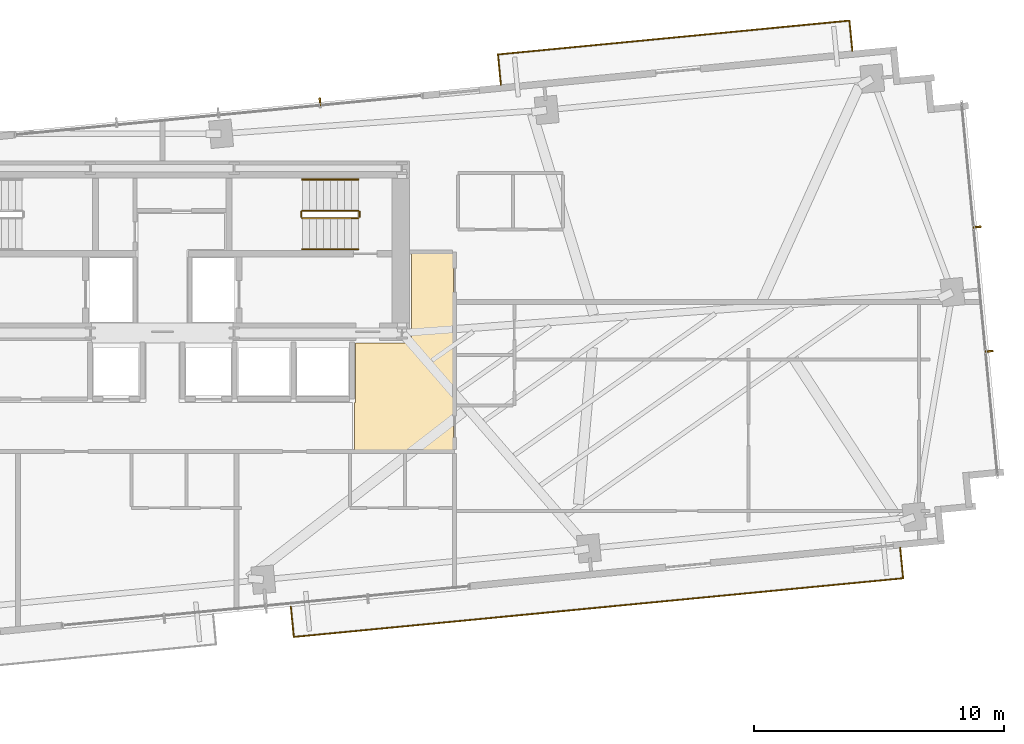
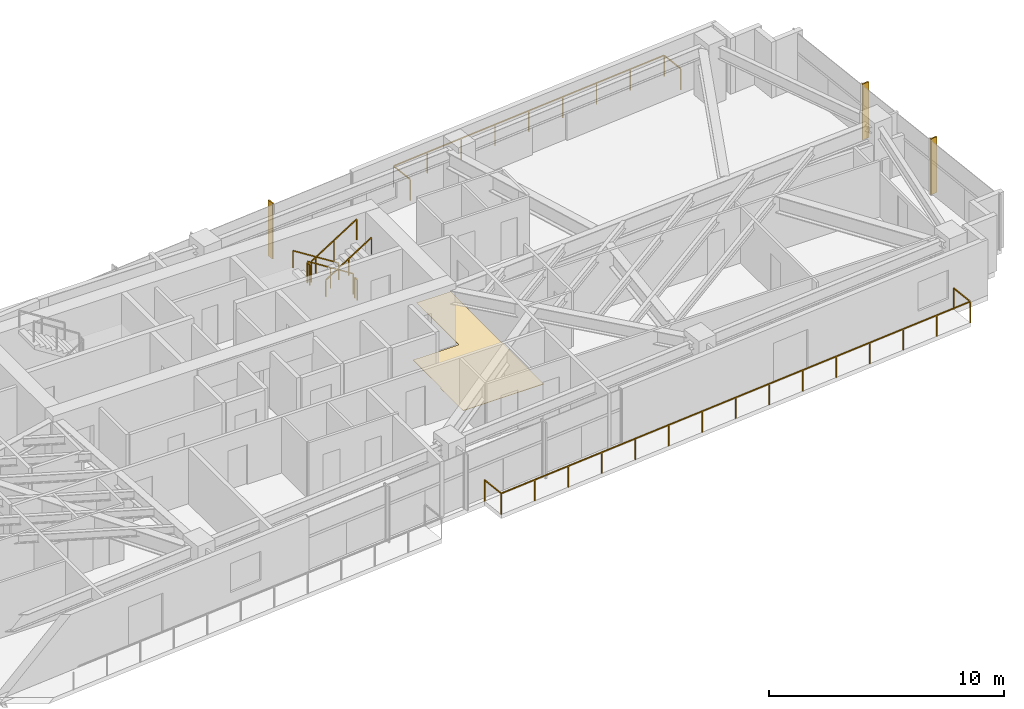
# One storey, part 27 of 27: 8 railings, 3 shading devices, 1 covering.
"""IFC4 building model written with IfcOpenShell, lengths in metres."""

from ifc_helpers import new_model, si_unit, direction, frame, origin, origin_2d, place, context, subcontext, project, spatial, polyline, rectangle, outline, extrude, source, transform, mapped, material, layer, layer_set, type_object, type_shapes, element, save


model = new_model("IFC4")

# Units and contexts
model_context = context("Model", 3, precision=1e-05, world=origin(), true_north=direction((0.0, 1.0)))
body_context = subcontext(model_context, "Body", "Model", "MODEL_VIEW")
ifc_project = project(units=[si_unit("LENGTHUNIT", "METRE"), si_unit("AREAUNIT", "SQUARE_METRE"), si_unit("VOLUMEUNIT", "CUBIC_METRE"), si_unit("PLANEANGLEUNIT", "RADIAN"), si_unit("MASSUNIT", "GRAM", prefix="KILO")], contexts=[model_context])

# Site, building, storey
site_placement = place(None, origin())
site = spatial("IfcSite", under=ifc_project, at=site_placement, CompositionType="ELEMENT")
building_placement = place(site_placement, origin())
building = spatial("IfcBuilding", under=site, at=building_placement, Name="Astriad Promenade Condominiums", CompositionType="ELEMENT")
storey_placement = place(building_placement, frame((0.0, 0.0, 116.199951171875)))
storey = spatial("IfcBuildingStorey", under=building, at=storey_placement, Name="L33", CompositionType="ELEMENT", Elevation=116.199951171875)

# Covering
ifc_material_1 = material(Name="Polished Lakefront Terrazzo Flooring")
ifc_layer = layer(ifc_material_1, 0.02001953125)
ifc_layer_set = layer_set([ifc_layer], Name="Polished Lakefront Terrazzo Flooring")
covering_type = type_object("IfcCoveringType", Name="COV-FLOR-TERRAZZO-20", PredefinedType="FLOORING", material=ifc_layer_set)
covering_placement = place(storey_placement, origin())
element("IfcCovering", 1, at=covering_placement, inside=storey, type_object=covering_type, Name="FLR-L33-COR-1", PredefinedType="FLOORING", context=body_context, shape_type="SweptSolid", body=[
    extrude(outline(polyline([(43.699951171875, 12.68994140625), (43.699951171875, 14.610107421875), (43.703857421875, 14.610107421875), (43.707763671875, 14.61083984375), (43.711669921875, 14.61181640625), (43.71533203125, 14.613037109375), (43.718994140625, 14.61474609375), (43.72216796875, 14.61669921875), (43.725341796875, 14.619140625), (43.728271484375, 14.62158203125), (43.73095703125, 14.62451171875), (43.7333984375, 14.627685546875), (43.7353515625, 14.631103515625), (43.737060546875, 14.634765625), (43.73828125, 14.638427734375), (43.7392578125, 14.64208984375), (43.73974609375, 14.64599609375), (43.739990234375, 14.64990234375), (43.739990234375, 17.010009765625), (45.949951171875, 17.010009765625), (45.953857421875, 17.01025390625), (45.957763671875, 17.0107421875), (45.961669921875, 17.01171875), (45.96533203125, 17.012939453125), (45.968994140625, 17.0146484375), (45.97216796875, 17.0166015625), (45.975341796875, 17.01904296875), (45.978271484375, 17.021728515625), (45.98095703125, 17.024658203125), (45.9833984375, 17.02783203125), (45.9853515625, 17.031005859375), (45.987060546875, 17.03466796875), (45.98828125, 17.038330078125), (45.9892578125, 17.042236328125), (45.98974609375, 17.046142578125), (45.989990234375, 17.050048828125), (45.989990234375, 20.610107421875), (47.659912109375, 20.610107421875), (47.659912109375, 12.68994140625), (43.699951171875, 12.68994140625)])), origin(), (0.0, 0.0, 1.0), 0.02001953125),
])

# Shading devices
ifc_material_2 = material(Name="Anodised aluminium 6063-T6 Black Fin", Category="aluminium")
shading_device_type = type_object("IfcShadingDeviceType", Name="FIN-BLACK-320", PredefinedType="USERDEFINED", material=ifc_material_2)
shared_shape_1 = source(origin(), body_context, "Body", "SweptSolid", [
    extrude(rectangle(XDim=0.06494140625, YDim=0.320068359375, at=origin_2d()), origin(), (0.0, 0.0, 1.0), 2.89990234375),
])
type_shapes(shading_device_type, [shared_shape_1])
for number, where, z_axis, x_axis, name in (
    (2, (42.31689453125, 26.656494140625, 0.0), (0.0, 0.0, 1.0), (0.995396198367, 0.09584575252, 0.0), "CW-L33-N-FIN-03"),
    (3, (68.63330078125, 21.6455078125, 0.0), (0.0, 0.0, 1.0), (0.09584575252, -0.995396198367, 0.0), "CW-L33-E-FIN-01"),
    (4, (69.1123046875, 16.668701171875, 0.0), (0.0, 0.0, 1.0), (0.09584575252, -0.995396198367, 0.0), "CW-L33-E-FIN-02"),
):
    element("IfcShadingDevice", number, at=place(storey_placement, frame(where, z_axis=z_axis, x_axis=x_axis)), inside=storey, type_object=shading_device_type, Name=name, ObjectType="FIN", PredefinedType="USERDEFINED", context=body_context, shape_type="MappedRepresentation", body=[
        mapped(shared_shape_1, transform((0.0, 0.0, 0.0), scale=1.0)),
    ])

# Railings
ifc_material_3 = material(Name="Laminated Glass and Stainless Steel Balustrade", Category="steel")
railing_type_1 = type_object("IfcRailingType", Name="GRD-BALC-1120", PredefinedType="BALUSTRADE", material=ifc_material_3)
shared_shape_2 = source(origin(), body_context, "Body", "SweptSolid", [
    extrude(rectangle(XDim=0.048095703125, YDim=0.048095703125, at=origin_2d()), frame((0.0, 0.0, 1.09619140625), z_axis=(0.0958382164, -0.995396923984, 0.0), x_axis=(0.995396923984, 0.0958382164, 0.0)), (0.0, 0.0, 1.0), 1.22021484375),
    extrude(rectangle(XDim=0.048095703125, YDim=0.048095703125, at=origin_2d()), frame((0.116943359375, -1.214599609375, 1.09619140625), z_axis=(0.995395355209, 0.095854508653, 0.0), x_axis=(-0.095854508653, 0.995395355209, 0.0)), (0.0, 0.0, 1.0), 24.519775390625),
    extrude(rectangle(XDim=0.048095703125, YDim=0.048095703125, at=origin_2d()), frame((24.52392578125, 1.1357421875, 1.09619140625), z_axis=(-0.095857307208, 0.99539508571, 0.0), x_axis=(-0.99539508571, -0.095857307208, 0.0)), (0.0, 0.0, 1.0), 1.219970703125),
    extrude(rectangle(XDim=0.0419921875, YDim=0.0419921875, at=origin_2d()), origin(), (0.0, 0.0, 1.0), 1.072021484375),
    extrude(rectangle(XDim=0.0419921875, YDim=0.0419921875, at=origin_2d()), frame((0.116943359375, -1.214599609375, 0.0)), (0.0, 0.0, 1.0), 1.072021484375),
    extrude(rectangle(XDim=0.0419921875, YDim=0.0419921875, at=origin_2d()), frame((1.8603515625, -1.046630859375, 0.0)), (0.0, 0.0, 1.0), 1.072021484375),
    extrude(rectangle(XDim=0.0419921875, YDim=0.0419921875, at=origin_2d()), frame((3.603759765625, -0.87890625, 0.0)), (0.0, 0.0, 1.0), 1.072021484375),
    extrude(rectangle(XDim=0.0419921875, YDim=0.0419921875, at=origin_2d()), frame((5.346923828125, -0.7109375, 0.0)), (0.0, 0.0, 1.0), 1.072021484375),
    extrude(rectangle(XDim=0.0419921875, YDim=0.0419921875, at=origin_2d()), frame((7.09033203125, -0.54296875, 0.0)), (0.0, 0.0, 1.0), 1.072021484375),
    extrude(rectangle(XDim=0.0419921875, YDim=0.0419921875, at=origin_2d()), frame((8.833740234375, -0.375244140625, 0.0)), (0.0, 0.0, 1.0), 1.072021484375),
    extrude(rectangle(XDim=0.0419921875, YDim=0.0419921875, at=origin_2d()), frame((10.5771484375, -0.207275390625, 0.0)), (0.0, 0.0, 1.0), 1.072021484375),
    extrude(rectangle(XDim=0.0419921875, YDim=0.0419921875, at=origin_2d()), frame((12.3203125, -0.03955078125, 0.0)), (0.0, 0.0, 1.0), 1.072021484375),
    extrude(rectangle(XDim=0.0419921875, YDim=0.0419921875, at=origin_2d()), frame((14.063720703125, 0.12841796875, 0.0)), (0.0, 0.0, 1.0), 1.072021484375),
    extrude(rectangle(XDim=0.0419921875, YDim=0.0419921875, at=origin_2d()), frame((15.80712890625, 0.29638671875, 0.0)), (0.0, 0.0, 1.0), 1.072021484375),
    extrude(rectangle(XDim=0.0419921875, YDim=0.0419921875, at=origin_2d()), frame((17.550537109375, 0.464111328125, 0.0)), (0.0, 0.0, 1.0), 1.072021484375),
    extrude(rectangle(XDim=0.0419921875, YDim=0.0419921875, at=origin_2d()), frame((19.2939453125, 0.632080078125, 0.0)), (0.0, 0.0, 1.0), 1.072021484375),
    extrude(rectangle(XDim=0.0419921875, YDim=0.0419921875, at=origin_2d()), frame((21.037109375, 0.800048828125, 0.0)), (0.0, 0.0, 1.0), 1.072021484375),
    extrude(rectangle(XDim=0.0419921875, YDim=0.0419921875, at=origin_2d()), frame((22.780517578125, 0.9677734375, 0.0)), (0.0, 0.0, 1.0), 1.072021484375),
    extrude(rectangle(XDim=0.0419921875, YDim=0.0419921875, at=origin_2d()), frame((24.52392578125, 1.1357421875, 0.0)), (0.0, 0.0, 1.0), 1.072021484375),
    extrude(rectangle(XDim=0.0419921875, YDim=0.0419921875, at=origin_2d()), frame((24.406982421875, 2.35009765625, 0.0)), (0.0, 0.0, 1.0), 1.072021484375),
])
railing_1_placement = place(storey_placement, frame((41.14794921875, 6.44140625, 0.0)))
element("IfcRailing", 5, at=railing_1_placement, inside=storey, type_object=railing_type_1, Name="GRD-BALC-L33-SE", PredefinedType="BALUSTRADE", context=body_context, shape_type="MappedRepresentation", body=[
    mapped(shared_shape_2, transform((0.0, 0.0, 0.0), scale=1.0)),
])
shared_shape_3 = source(origin(), body_context, "Body", "SweptSolid", [
    extrude(rectangle(XDim=0.048095703125, YDim=0.048095703125, at=origin_2d()), frame((0.0, 0.0, 1.09619140625), z_axis=(-0.096055582315, 0.995375971734, 0.0), x_axis=(-0.995375971734, -0.096055582315, 0.0)), (0.0, 0.0, 1.0), 1.219970703125),
    extrude(rectangle(XDim=0.048095703125, YDim=0.048095703125, at=origin_2d()), frame((-0.1171875, 1.21435546875, 1.09619140625), z_axis=(-0.995395546623, -0.095852520903, 0.0), x_axis=(0.095852520903, -0.995395546623, 0.0)), (0.0, 0.0, 1.0), 14.143798828125),
    extrude(rectangle(XDim=0.048095703125, YDim=0.048095703125, at=origin_2d()), frame((-14.19580078125, -0.141357421875, 1.09619140625), z_axis=(0.095659020692, -0.99541416092, 0.0), x_axis=(0.99541416092, 0.095659020692, 0.0)), (0.0, 0.0, 1.0), 1.219970703125),
    extrude(rectangle(XDim=0.0419921875, YDim=0.0419921875, at=origin_2d()), origin(), (0.0, 0.0, 1.0), 1.072021484375),
    extrude(rectangle(XDim=0.0419921875, YDim=0.0419921875, at=origin_2d()), frame((-0.1171875, 1.21435546875, 0.0)), (0.0, 0.0, 1.0), 1.072021484375),
    extrude(rectangle(XDim=0.0419921875, YDim=0.0419921875, at=origin_2d()), frame((-1.876953125, 1.044921875, 0.0)), (0.0, 0.0, 1.0), 1.072021484375),
    extrude(rectangle(XDim=0.0419921875, YDim=0.0419921875, at=origin_2d()), frame((-3.63671875, 0.87548828125, 0.0)), (0.0, 0.0, 1.0), 1.072021484375),
    extrude(rectangle(XDim=0.0419921875, YDim=0.0419921875, at=origin_2d()), frame((-5.396728515625, 0.7060546875, 0.0)), (0.0, 0.0, 1.0), 1.072021484375),
    extrude(rectangle(XDim=0.0419921875, YDim=0.0419921875, at=origin_2d()), frame((-7.156494140625, 0.53662109375, 0.0)), (0.0, 0.0, 1.0), 1.072021484375),
    extrude(rectangle(XDim=0.0419921875, YDim=0.0419921875, at=origin_2d()), frame((-8.916259765625, 0.366943359375, 0.0)), (0.0, 0.0, 1.0), 1.072021484375),
    extrude(rectangle(XDim=0.0419921875, YDim=0.0419921875, at=origin_2d()), frame((-10.67626953125, 0.197509765625, 0.0)), (0.0, 0.0, 1.0), 1.072021484375),
    extrude(rectangle(XDim=0.0419921875, YDim=0.0419921875, at=origin_2d()), frame((-12.43603515625, 0.028076171875, 0.0)), (0.0, 0.0, 1.0), 1.072021484375),
    extrude(rectangle(XDim=0.0419921875, YDim=0.0419921875, at=origin_2d()), frame((-14.19580078125, -0.141357421875, 0.0)), (0.0, 0.0, 1.0), 1.072021484375),
    extrude(rectangle(XDim=0.0419921875, YDim=0.0419921875, at=origin_2d()), frame((-14.0791015625, -1.355712890625, 0.0)), (0.0, 0.0, 1.0), 1.072021484375),
])
type_shapes(railing_type_1, [shared_shape_2, shared_shape_3])
railing_2_placement = place(storey_placement, frame((63.63818359375, 28.699462890625, 0.0)))
element("IfcRailing", 6, at=railing_2_placement, inside=storey, type_object=railing_type_1, Name="GRD-BALC-L33-NE", PredefinedType="BALUSTRADE", context=body_context, shape_type="MappedRepresentation", body=[
    mapped(shared_shape_3, transform((0.0, 0.0, 0.0), scale=1.0)),
])
ifc_material_4 = material(Name="Painted Galvanised Steel Guardrail", Category="steel")
railing_type_2 = type_object("IfcRailingType", Name="GRD-STAIR-1100", PredefinedType="GUARDRAIL", material=ifc_material_4)
shared_shape_4 = source(origin(), body_context, "Body", "SweptSolid", [
    extrude(rectangle(XDim=0.048095703125, YDim=0.048095703125, at=origin_2d()), frame((0.0, 0.0, 1.076171875), z_axis=(0.8442293374, 0.0, 0.53598211339), x_axis=(0.0, 1.0, 0.0)), (0.0, 0.0, 1.0), 2.6533203125),
    extrude(rectangle(XDim=0.0419921875, YDim=0.0419921875, at=origin_2d()), origin(), (0.0, 0.0, 1.0), 1.052001953125),
    extrude(rectangle(XDim=0.0419921875, YDim=0.0419921875, at=origin_2d()), frame((1.1201171875, 0.0, 0.7109375)), (0.0, 0.0, 1.0), 1.052001953125),
    extrude(rectangle(XDim=0.0419921875, YDim=0.0419921875, at=origin_2d()), frame((2.239990234375, 0.0, 1.422119140625)), (0.0, 0.0, 1.0), 1.052001953125),
])
railing_3_placement = place(storey_placement, frame((41.610107421875, 22.0, 1.77783203125)))
element("IfcRailing", 7, at=railing_3_placement, inside=storey, type_object=railing_type_2, Name="L33 ST-2 stair guard 3", PredefinedType="GUARDRAIL", context=body_context, shape_type="MappedRepresentation", body=[
    mapped(shared_shape_4, transform((0.0, 0.0, 0.0), scale=1.0)),
])
shared_shape_5 = source(origin(), body_context, "Body", "SweptSolid", [
    extrude(rectangle(XDim=0.048095703125, YDim=0.048095703125, at=origin_2d()), frame((0.0, 0.0, 1.076171875), z_axis=(-0.84418770128, 0.0, 0.536047689118), x_axis=(0.0, -1.0, 0.0)), (0.0, 0.0, 1.0), 2.6533203125),
    extrude(rectangle(XDim=0.0419921875, YDim=0.0419921875, at=origin_2d()), origin(), (0.0, 0.0, 1.0), 1.052001953125),
    extrude(rectangle(XDim=0.0419921875, YDim=0.0419921875, at=origin_2d()), frame((-1.1201171875, 0.0, 0.711181640625)), (0.0, 0.0, 1.0), 1.052001953125),
    extrude(rectangle(XDim=0.0419921875, YDim=0.0419921875, at=origin_2d()), frame((-2.239990234375, 0.0, 1.42236328125)), (0.0, 0.0, 1.0), 1.052001953125),
])
railing_4_placement = place(storey_placement, frame((43.85009765625, 22.300048828125, 0.177734375)))
element("IfcRailing", 8, at=railing_4_placement, inside=storey, type_object=railing_type_2, Name="L33 ST-2 stair guard 1", PredefinedType="GUARDRAIL", context=body_context, shape_type="MappedRepresentation", body=[
    mapped(shared_shape_5, transform((0.0, 0.0, 0.0), scale=1.0)),
])
ifc_material_5 = material(Name="Brushed Stainless Steel Handrail", Category="steel")
railing_type_3 = type_object("IfcRailingType", Name="HRL-STAIR-920", PredefinedType="HANDRAIL", material=ifc_material_5)
shared_shape_6 = source(origin(), body_context, "Body", "SweptSolid", [
    extrude(rectangle(XDim=0.048095703125, YDim=0.048095703125, at=origin_2d()), frame((0.0, 0.0, 0.8759765625), z_axis=(0.8442293374, 0.0, 0.53598211339), x_axis=(0.0, 1.0, 0.0)), (0.0, 0.0, 1.0), 2.6533203125),
    extrude(rectangle(XDim=0.0419921875, YDim=0.0419921875, at=origin_2d()), origin(), (0.0, 0.0, 1.0), 0.851806640625),
    extrude(rectangle(XDim=0.0419921875, YDim=0.0419921875, at=origin_2d()), frame((1.1201171875, 0.0, 0.7109375)), (0.0, 0.0, 1.0), 0.851806640625),
    extrude(rectangle(XDim=0.0419921875, YDim=0.0419921875, at=origin_2d()), frame((2.239990234375, 0.0, 1.422119140625)), (0.0, 0.0, 1.0), 0.851806640625),
])
railing_5_placement = place(storey_placement, frame((41.610107421875, 20.75, 1.77783203125)))
element("IfcRailing", 9, at=railing_5_placement, inside=storey, type_object=railing_type_3, Name="L33 ST-2 stair handrail 2", PredefinedType="HANDRAIL", context=body_context, shape_type="MappedRepresentation", body=[
    mapped(shared_shape_6, transform((0.0, 0.0, 0.0), scale=1.0)),
])
shared_shape_7 = source(origin(), body_context, "Body", "SweptSolid", [
    extrude(rectangle(XDim=0.048095703125, YDim=0.048095703125, at=origin_2d()), frame((0.0, 0.0, 0.8759765625), z_axis=(-0.84418770128, 0.0, 0.536047689118), x_axis=(0.0, -1.0, 0.0)), (0.0, 0.0, 1.0), 2.6533203125),
    extrude(rectangle(XDim=0.0419921875, YDim=0.0419921875, at=origin_2d()), origin(), (0.0, 0.0, 1.0), 0.851806640625),
    extrude(rectangle(XDim=0.0419921875, YDim=0.0419921875, at=origin_2d()), frame((-1.1201171875, 0.0, 0.711181640625)), (0.0, 0.0, 1.0), 0.851806640625),
    extrude(rectangle(XDim=0.0419921875, YDim=0.0419921875, at=origin_2d()), frame((-2.239990234375, 0.0, 1.42236328125)), (0.0, 0.0, 1.0), 0.851806640625),
])
type_shapes(railing_type_3, [shared_shape_6, shared_shape_7])
railing_6_placement = place(storey_placement, frame((43.85009765625, 23.550048828125, 0.177734375)))
element("IfcRailing", 10, at=railing_6_placement, inside=storey, type_object=railing_type_3, Name="L33 ST-2 stair handrail 1", PredefinedType="HANDRAIL", context=body_context, shape_type="MappedRepresentation", body=[
    mapped(shared_shape_7, transform((0.0, 0.0, 0.0), scale=1.0)),
])
shared_shape_8 = source(origin(), body_context, "Body", "SweptSolid", [
    extrude(rectangle(XDim=0.048095703125, YDim=0.048095703125, at=origin_2d()), frame((0.0, 0.0, 1.076171875), z_axis=(0.0, -1.0, 0.0), x_axis=(1.0, 0.0, 0.0)), (0.0, 0.0, 1.0), 0.199951171875),
    extrude(rectangle(XDim=0.0419921875, YDim=0.0419921875, at=origin_2d()), origin(), (0.0, 0.0, 1.0), 1.052001953125),
    extrude(rectangle(XDim=0.0419921875, YDim=0.0419921875, at=origin_2d()), frame((0.0, -0.199951171875, 0.0)), (0.0, 0.0, 1.0), 1.052001953125),
])
type_shapes(railing_type_2, [shared_shape_4, shared_shape_5, shared_shape_8])
for number, where, name in (
    (11, (41.56005859375, 22.25, 1.60009765625), "L33 ST-2 stair guard 2"),
    (12, (43.89990234375, 22.25, 0.0), "L33 ST-2 stair guard 4"),
):
    element("IfcRailing", number, at=place(storey_placement, frame(where)), inside=storey, type_object=railing_type_2, Name=name, PredefinedType="GUARDRAIL", context=body_context, shape_type="MappedRepresentation", body=[
        mapped(shared_shape_8, transform((0.0, 0.0, 0.0), scale=1.0)),
    ])

save(model, "model.ifc")
